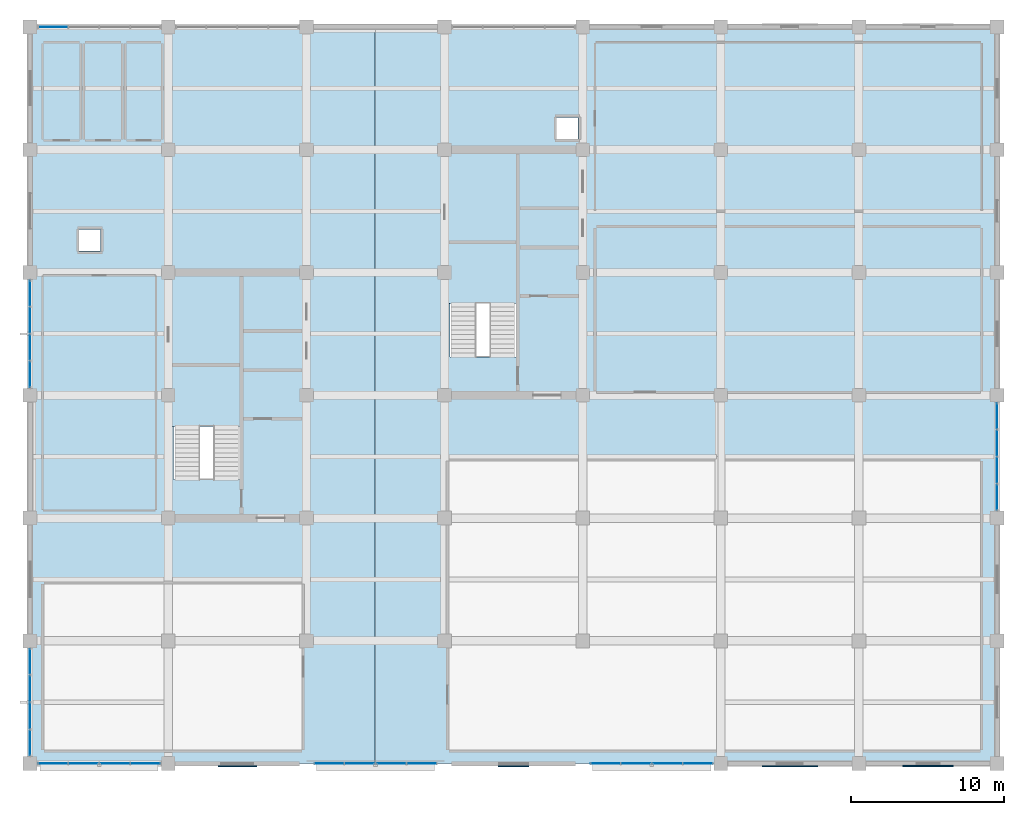
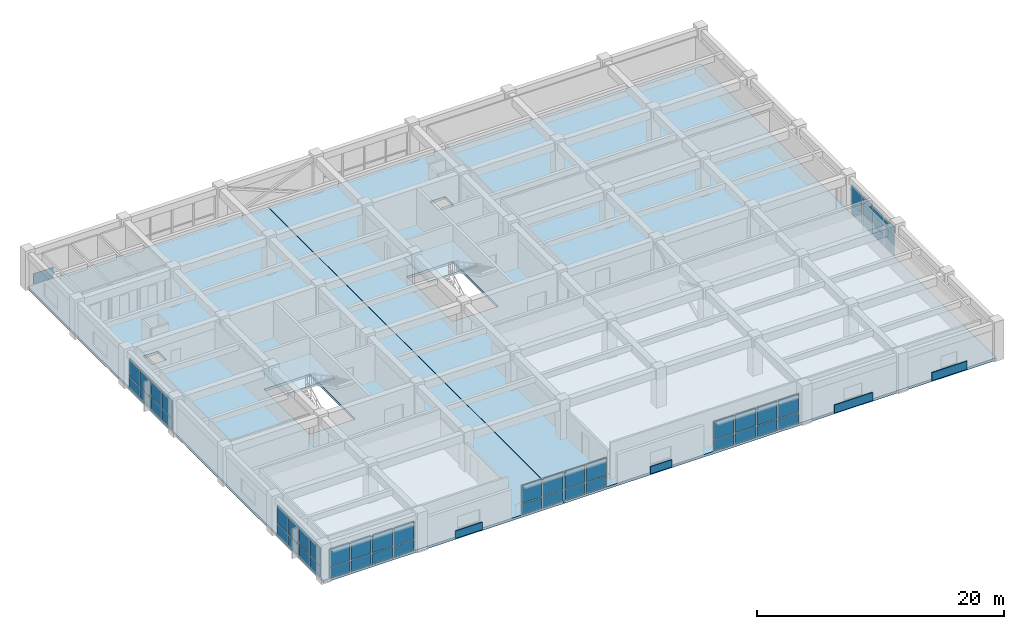
# One storey, part 11 of 16: 53 plates, 4 slabs, 9 elements without a shape of their own.
"""IFC4 building model written with IfcOpenShell, lengths in metres."""

from ifc_helpers import new_model, si_unit, direction, frame, frame_2d, origin, place, context, subcontext, project, spatial, polyline, rectangle, outline, extrude, material, layer, layer_set, type_object, element, aggregate, save


model = new_model("IFC4")

# Units and contexts
model_context = context("Model", 3, precision=1e-05, world=origin(), true_north=direction((0.0, 1.0)))
body_context = subcontext(model_context, "Body", "Model", "MODEL_VIEW")
ifc_project = project(units=[si_unit("LENGTHUNIT", "METRE"), si_unit("AREAUNIT", "SQUARE_METRE"), si_unit("VOLUMEUNIT", "CUBIC_METRE"), si_unit("PLANEANGLEUNIT", "RADIAN"), si_unit("MASSUNIT", "GRAM", prefix="KILO")], contexts=[model_context])

# Site, building, storey
site_placement = place(None, origin())
site = spatial("IfcSite", under=ifc_project, at=site_placement, CompositionType="ELEMENT")
building_placement = place(site_placement, origin())
building = spatial("IfcBuilding", under=site, at=building_placement, Name="Zaverband Oceanarium and Marine Research Institute", CompositionType="ELEMENT")
storey_placement = place(building_placement, frame((0.0, 0.0, 29.699951171875)))
storey = spatial("IfcBuildingStorey", under=building, at=storey_placement, Name="L07", CompositionType="ELEMENT", Elevation=29.699951171875)

# Curtain wall, plates
ifc_material_1 = material(Name="Thermally broken anodized aluminium and solar-control glass", Category="aluminium")
curtain_wall_type = type_object("IfcCurtainWallType", Name="CW-UNIT-1800", PredefinedType="NOTDEFINED", material=ifc_material_1)
curtain_wall_1_placement = place(storey_placement, origin())
curtain_wall_1 = element("IfcCurtainWall", 1, at=curtain_wall_1_placement, inside=storey, type_object=curtain_wall_type, Name="Unitised glazed curtain wall CW-091", PredefinedType="NOTDEFINED")
ifc_material_2 = material(Name="Low-E double-glazed solar-control glass", Category="glass")
ifc_layer_1 = layer(ifc_material_2, 0.033935546875, Name="Low-E double-glazed solar-control glass")
ifc_layer_set_1 = layer_set([ifc_layer_1], Name="Low-E double-glazed solar-control glass")
plate_type_1 = type_object("IfcPlateType", Name="CWP-1570x1043", PredefinedType="CURTAIN_PANEL", material=ifc_layer_set_1)
plate_1_placement = place(storey_placement, frame((9.0, 64.534912109375, 0.050048828125), z_axis=(0.0, 0.0, 1.0), x_axis=(0.0, 1.0, 0.0)))
plate_1 = element("IfcPlate", 2, at=plate_1_placement, type_object=plate_type_1, Name="Glazed curtain wall panel CWP-1570x1043", PredefinedType="CURTAIN_PANEL", context=body_context, shape_type="SweptSolid", body=[
    extrude(rectangle(XDim=1.612548828125, YDim=0.033935546875, at=frame_2d((0.80615234375, 0.0))), origin(), (0.0, 0.0, 1.0), 1.04296875),
])
plate_2_placement = place(storey_placement, frame((9.0, 66.3076171875, 0.050048828125), z_axis=(0.0, 0.0, 1.0), x_axis=(0.0, 1.0, 0.0)))
plate_2 = element("IfcPlate", 3, at=plate_2_placement, type_object=plate_type_1, Name="Glazed curtain wall panel CWP-1570x1043", PredefinedType="CURTAIN_PANEL", context=body_context, shape_type="SweptSolid", body=[
    extrude(rectangle(XDim=1.6123046875, YDim=0.033935546875, at=frame_2d((0.80615234375, 0.0))), origin(), (0.0, 0.0, 1.0), 1.04296875),
])
plate_3_placement = place(storey_placement, frame((9.0, 68.080078125, 0.050048828125), z_axis=(0.0, 0.0, 1.0), x_axis=(0.0, 1.0, 0.0)))
plate_3 = element("IfcPlate", 4, at=plate_3_placement, type_object=plate_type_1, Name="Glazed curtain wall panel CWP-1570x1043", PredefinedType="CURTAIN_PANEL", context=body_context, shape_type="SweptSolid", body=[
    extrude(rectangle(XDim=1.6123046875, YDim=0.033935546875, at=frame_2d((0.80615234375, 0.0))), origin(), (0.0, 0.0, 1.0), 1.04296875),
])
plate_4_placement = place(storey_placement, frame((9.0, 69.8525390625, 0.050048828125), z_axis=(0.0, 0.0, 1.0), x_axis=(0.0, 1.0, 0.0)))
plate_4 = element("IfcPlate", 5, at=plate_4_placement, type_object=plate_type_1, Name="Glazed curtain wall panel CWP-1570x1043", PredefinedType="CURTAIN_PANEL", context=body_context, shape_type="SweptSolid", body=[
    extrude(rectangle(XDim=1.612548828125, YDim=0.033935546875, at=frame_2d((0.80615234375, 0.0))), origin(), (0.0, 0.0, 1.0), 1.04296875),
])

curtain_wall_2_placement = place(storey_placement, origin())
curtain_wall_2 = element("IfcCurtainWall", 6, at=curtain_wall_2_placement, inside=storey, type_object=curtain_wall_type, Name="Unitised glazed curtain wall CW-092", PredefinedType="NOTDEFINED")
plate_5_placement = place(storey_placement, frame((9.0, 88.534912109375, 0.050048828125), z_axis=(0.0, 0.0, 1.0), x_axis=(0.0, 1.0, 0.0)))
plate_5 = element("IfcPlate", 7, at=plate_5_placement, type_object=plate_type_1, Name="Glazed curtain wall panel CWP-1570x1043", PredefinedType="CURTAIN_PANEL", context=body_context, shape_type="SweptSolid", body=[
    extrude(rectangle(XDim=1.612548828125, YDim=0.033935546875, at=frame_2d((0.80615234375, 0.0))), origin(), (0.0, 0.0, 1.0), 1.04296875),
])
plate_6_placement = place(storey_placement, frame((9.0, 90.3076171875, 0.050048828125), z_axis=(0.0, 0.0, 1.0), x_axis=(0.0, 1.0, 0.0)))
plate_6 = element("IfcPlate", 8, at=plate_6_placement, type_object=plate_type_1, Name="Glazed curtain wall panel CWP-1570x1043", PredefinedType="CURTAIN_PANEL", context=body_context, shape_type="SweptSolid", body=[
    extrude(rectangle(XDim=1.6123046875, YDim=0.033935546875, at=frame_2d((0.80615234375, 0.0))), origin(), (0.0, 0.0, 1.0), 1.04296875),
])
plate_7_placement = place(storey_placement, frame((9.0, 92.080078125, 0.050048828125), z_axis=(0.0, 0.0, 1.0), x_axis=(0.0, 1.0, 0.0)))
plate_7 = element("IfcPlate", 9, at=plate_7_placement, type_object=plate_type_1, Name="Glazed curtain wall panel CWP-1570x1043", PredefinedType="CURTAIN_PANEL", context=body_context, shape_type="SweptSolid", body=[
    extrude(rectangle(XDim=1.6123046875, YDim=0.033935546875, at=frame_2d((0.80615234375, 0.0))), origin(), (0.0, 0.0, 1.0), 1.04296875),
])
plate_8_placement = place(storey_placement, frame((9.0, 93.8525390625, 0.050048828125), z_axis=(0.0, 0.0, 1.0), x_axis=(0.0, 1.0, 0.0)))
plate_8 = element("IfcPlate", 10, at=plate_8_placement, type_object=plate_type_1, Name="Glazed curtain wall panel CWP-1570x1043", PredefinedType="CURTAIN_PANEL", context=body_context, shape_type="SweptSolid", body=[
    extrude(rectangle(XDim=1.612548828125, YDim=0.033935546875, at=frame_2d((0.80615234375, 0.0))), origin(), (0.0, 0.0, 1.0), 1.04296875),
])

curtain_wall_3_placement = place(storey_placement, origin())
curtain_wall_3 = element("IfcCurtainWall", 11, at=curtain_wall_3_placement, inside=storey, type_object=curtain_wall_type, Name="Unitised glazed curtain wall CW-093", PredefinedType="NOTDEFINED")
plate_9_placement = place(storey_placement, frame((72.0, 80.534912109375, 0.050048828125), z_axis=(0.0, 0.0, 1.0), x_axis=(0.0, 1.0, 0.0)))
plate_9 = element("IfcPlate", 12, at=plate_9_placement, type_object=plate_type_1, Name="Glazed curtain wall panel CWP-1570x1043", PredefinedType="CURTAIN_PANEL", context=body_context, shape_type="SweptSolid", body=[
    extrude(rectangle(XDim=1.612548828125, YDim=0.033935546875, at=frame_2d((0.80615234375, 0.0))), origin(), (0.0, 0.0, 1.0), 1.04296875),
])
plate_10_placement = place(storey_placement, frame((72.0, 82.3076171875, 0.050048828125), z_axis=(0.0, 0.0, 1.0), x_axis=(0.0, 1.0, 0.0)))
plate_10 = element("IfcPlate", 13, at=plate_10_placement, type_object=plate_type_1, Name="Glazed curtain wall panel CWP-1570x1043", PredefinedType="CURTAIN_PANEL", context=body_context, shape_type="SweptSolid", body=[
    extrude(rectangle(XDim=1.6123046875, YDim=0.033935546875, at=frame_2d((0.80615234375, 0.0))), origin(), (0.0, 0.0, 1.0), 1.04296875),
])
plate_11_placement = place(storey_placement, frame((72.0, 84.080078125, 0.050048828125), z_axis=(0.0, 0.0, 1.0), x_axis=(0.0, 1.0, 0.0)))
plate_11 = element("IfcPlate", 14, at=plate_11_placement, type_object=plate_type_1, Name="Glazed curtain wall panel CWP-1570x1043", PredefinedType="CURTAIN_PANEL", context=body_context, shape_type="SweptSolid", body=[
    extrude(rectangle(XDim=1.6123046875, YDim=0.033935546875, at=frame_2d((0.80615234375, 0.0))), origin(), (0.0, 0.0, 1.0), 1.04296875),
])
plate_12_placement = place(storey_placement, frame((72.0, 85.8525390625, 0.050048828125), z_axis=(0.0, 0.0, 1.0), x_axis=(0.0, 1.0, 0.0)))
plate_12 = element("IfcPlate", 15, at=plate_12_placement, type_object=plate_type_1, Name="Glazed curtain wall panel CWP-1570x1043", PredefinedType="CURTAIN_PANEL", context=body_context, shape_type="SweptSolid", body=[
    extrude(rectangle(XDim=1.612548828125, YDim=0.033935546875, at=frame_2d((0.80615234375, 0.0))), origin(), (0.0, 0.0, 1.0), 1.04296875),
])

# Plate
ifc_layer_2 = layer(ifc_material_2, 0.035888671875, Name="Low-E double-glazed solar-control glass")
ifc_layer_set_2 = layer_set([ifc_layer_2], Name="Low-E double-glazed solar-control glass")
plate_type_2 = type_object("IfcPlateType", Name="CWP-1570x1777", PredefinedType="CURTAIN_PANEL", material=ifc_layer_set_2)
plate_13_placement = place(storey_placement, frame((9.0, 64.534912109375, 1.1630859375), z_axis=(0.0, 0.0, 1.0), x_axis=(0.0, 1.0, 0.0)))
plate_13 = element("IfcPlate", 16, at=plate_13_placement, type_object=plate_type_2, Name="Glazed curtain wall panel CWP-1570x1777", PredefinedType="CURTAIN_PANEL", context=body_context, shape_type="SweptSolid", body=[
    extrude(rectangle(XDim=1.612548828125, YDim=0.035888671875, at=frame_2d((0.80615234375, 0.0))), origin(), (0.0, 0.0, 1.0), 1.77685546875),
])

plate_14_placement = place(storey_placement, frame((9.0, 66.3076171875, 1.1630859375), z_axis=(0.0, 0.0, 1.0), x_axis=(0.0, 1.0, 0.0)))
plate_14 = element("IfcPlate", 17, at=plate_14_placement, type_object=plate_type_2, Name="Glazed curtain wall panel CWP-1570x1777", PredefinedType="CURTAIN_PANEL", context=body_context, shape_type="SweptSolid", body=[
    extrude(rectangle(XDim=1.6123046875, YDim=0.035888671875, at=frame_2d((0.80615234375, 0.0))), origin(), (0.0, 0.0, 1.0), 1.77685546875),
])

plate_15_placement = place(storey_placement, frame((9.0, 68.080078125, 1.1630859375), z_axis=(0.0, 0.0, 1.0), x_axis=(0.0, 1.0, 0.0)))
plate_15 = element("IfcPlate", 18, at=plate_15_placement, type_object=plate_type_2, Name="Glazed curtain wall panel CWP-1570x1777", PredefinedType="CURTAIN_PANEL", context=body_context, shape_type="SweptSolid", body=[
    extrude(rectangle(XDim=1.6123046875, YDim=0.035888671875, at=frame_2d((0.80615234375, 0.0))), origin(), (0.0, 0.0, 1.0), 1.77685546875),
])

plate_16_placement = place(storey_placement, frame((9.0, 69.8525390625, 1.1630859375), z_axis=(0.0, 0.0, 1.0), x_axis=(0.0, 1.0, 0.0)))
plate_16 = element("IfcPlate", 19, at=plate_16_placement, type_object=plate_type_2, Name="Glazed curtain wall panel CWP-1570x1777", PredefinedType="CURTAIN_PANEL", context=body_context, shape_type="SweptSolid", body=[
    extrude(rectangle(XDim=1.612548828125, YDim=0.035888671875, at=frame_2d((0.80615234375, 0.0))), origin(), (0.0, 0.0, 1.0), 1.77685546875),
])

aggregate(curtain_wall_1, [plate_1, plate_13, plate_2, plate_14, plate_3, plate_15, plate_4, plate_16])

plate_17_placement = place(storey_placement, frame((9.0, 88.534912109375, 1.1630859375), z_axis=(0.0, 0.0, 1.0), x_axis=(0.0, 1.0, 0.0)))
plate_17 = element("IfcPlate", 20, at=plate_17_placement, type_object=plate_type_2, Name="Glazed curtain wall panel CWP-1570x1777", PredefinedType="CURTAIN_PANEL", context=body_context, shape_type="SweptSolid", body=[
    extrude(rectangle(XDim=1.612548828125, YDim=0.035888671875, at=frame_2d((0.80615234375, 0.0))), origin(), (0.0, 0.0, 1.0), 1.77685546875),
])

plate_18_placement = place(storey_placement, frame((9.0, 90.3076171875, 1.1630859375), z_axis=(0.0, 0.0, 1.0), x_axis=(0.0, 1.0, 0.0)))
plate_18 = element("IfcPlate", 21, at=plate_18_placement, type_object=plate_type_2, Name="Glazed curtain wall panel CWP-1570x1777", PredefinedType="CURTAIN_PANEL", context=body_context, shape_type="SweptSolid", body=[
    extrude(rectangle(XDim=1.6123046875, YDim=0.035888671875, at=frame_2d((0.80615234375, 0.0))), origin(), (0.0, 0.0, 1.0), 1.77685546875),
])

plate_19_placement = place(storey_placement, frame((9.0, 92.080078125, 1.1630859375), z_axis=(0.0, 0.0, 1.0), x_axis=(0.0, 1.0, 0.0)))
plate_19 = element("IfcPlate", 22, at=plate_19_placement, type_object=plate_type_2, Name="Glazed curtain wall panel CWP-1570x1777", PredefinedType="CURTAIN_PANEL", context=body_context, shape_type="SweptSolid", body=[
    extrude(rectangle(XDim=1.6123046875, YDim=0.035888671875, at=frame_2d((0.80615234375, 0.0))), origin(), (0.0, 0.0, 1.0), 1.77685546875),
])

plate_20_placement = place(storey_placement, frame((9.0, 93.8525390625, 1.1630859375), z_axis=(0.0, 0.0, 1.0), x_axis=(0.0, 1.0, 0.0)))
plate_20 = element("IfcPlate", 23, at=plate_20_placement, type_object=plate_type_2, Name="Glazed curtain wall panel CWP-1570x1777", PredefinedType="CURTAIN_PANEL", context=body_context, shape_type="SweptSolid", body=[
    extrude(rectangle(XDim=1.612548828125, YDim=0.035888671875, at=frame_2d((0.80615234375, 0.0))), origin(), (0.0, 0.0, 1.0), 1.77685546875),
])

aggregate(curtain_wall_2, [plate_5, plate_17, plate_6, plate_18, plate_7, plate_19, plate_8, plate_20])

plate_21_placement = place(storey_placement, frame((72.0, 80.534912109375, 1.1630859375), z_axis=(0.0, 0.0, 1.0), x_axis=(0.0, 1.0, 0.0)))
plate_21 = element("IfcPlate", 24, at=plate_21_placement, type_object=plate_type_2, Name="Glazed curtain wall panel CWP-1570x1777", PredefinedType="CURTAIN_PANEL", context=body_context, shape_type="SweptSolid", body=[
    extrude(rectangle(XDim=1.612548828125, YDim=0.035888671875, at=frame_2d((0.80615234375, 0.0))), origin(), (0.0, 0.0, 1.0), 1.77685546875),
])

plate_22_placement = place(storey_placement, frame((72.0, 82.3076171875, 1.1630859375), z_axis=(0.0, 0.0, 1.0), x_axis=(0.0, 1.0, 0.0)))
plate_22 = element("IfcPlate", 25, at=plate_22_placement, type_object=plate_type_2, Name="Glazed curtain wall panel CWP-1570x1777", PredefinedType="CURTAIN_PANEL", context=body_context, shape_type="SweptSolid", body=[
    extrude(rectangle(XDim=1.6123046875, YDim=0.035888671875, at=frame_2d((0.80615234375, 0.0))), origin(), (0.0, 0.0, 1.0), 1.77685546875),
])

plate_23_placement = place(storey_placement, frame((72.0, 84.080078125, 1.1630859375), z_axis=(0.0, 0.0, 1.0), x_axis=(0.0, 1.0, 0.0)))
plate_23 = element("IfcPlate", 26, at=plate_23_placement, type_object=plate_type_2, Name="Glazed curtain wall panel CWP-1570x1777", PredefinedType="CURTAIN_PANEL", context=body_context, shape_type="SweptSolid", body=[
    extrude(rectangle(XDim=1.6123046875, YDim=0.035888671875, at=frame_2d((0.80615234375, 0.0))), origin(), (0.0, 0.0, 1.0), 1.77685546875),
])

plate_24_placement = place(storey_placement, frame((72.0, 85.8525390625, 1.1630859375), z_axis=(0.0, 0.0, 1.0), x_axis=(0.0, 1.0, 0.0)))
plate_24 = element("IfcPlate", 27, at=plate_24_placement, type_object=plate_type_2, Name="Glazed curtain wall panel CWP-1570x1777", PredefinedType="CURTAIN_PANEL", context=body_context, shape_type="SweptSolid", body=[
    extrude(rectangle(XDim=1.612548828125, YDim=0.035888671875, at=frame_2d((0.80615234375, 0.0))), origin(), (0.0, 0.0, 1.0), 1.77685546875),
])

aggregate(curtain_wall_3, [plate_9, plate_21, plate_10, plate_22, plate_11, plate_23, plate_12, plate_24])

# Curtain wall, plates
curtain_wall_4_placement = place(storey_placement, origin())
curtain_wall_4 = element("IfcCurtainWall", 28, at=curtain_wall_4_placement, inside=storey, type_object=curtain_wall_type, Name="Unitised glazed curtain wall CW-085", PredefinedType="NOTDEFINED")
ifc_layer_3 = layer(ifc_material_2, 0.033935546875, Name="Low-E double-glazed solar-control glass")
ifc_layer_set_3 = layer_set([ifc_layer_3], Name="Low-E double-glazed solar-control glass")
plate_type_3 = type_object("IfcPlateType", Name="CWP-1820x1043", PredefinedType="CURTAIN_PANEL", material=ifc_layer_set_3)
plate_25_placement = place(storey_placement, frame((9.534912109375, 64.0, 0.050048828125), z_axis=(0.0, 0.0, 1.0), x_axis=(1.0, 0.0, 0.0)))
plate_25 = element("IfcPlate", 29, at=plate_25_placement, type_object=plate_type_3, Name="Glazed curtain wall panel CWP-1820x1043", PredefinedType="CURTAIN_PANEL", context=body_context, shape_type="SweptSolid", body=[
    extrude(rectangle(XDim=1.862548828125, YDim=0.033935546875, at=frame_2d((0.93115234375, 0.0))), origin(), (0.0, 0.0, 1.0), 1.04296875),
])
plate_26_placement = place(storey_placement, frame((11.5576171875, 64.0, 0.050048828125), z_axis=(0.0, 0.0, 1.0), x_axis=(1.0, 0.0, 0.0)))
plate_26 = element("IfcPlate", 30, at=plate_26_placement, type_object=plate_type_3, Name="Glazed curtain wall panel CWP-1820x1043", PredefinedType="CURTAIN_PANEL", context=body_context, shape_type="SweptSolid", body=[
    extrude(rectangle(XDim=1.8623046875, YDim=0.033935546875, at=frame_2d((0.93115234375, 0.0))), origin(), (0.0, 0.0, 1.0), 1.04296875),
])
plate_27_placement = place(storey_placement, frame((13.580078125, 64.0, 0.050048828125), z_axis=(0.0, 0.0, 1.0), x_axis=(1.0, 0.0, 0.0)))
plate_27 = element("IfcPlate", 31, at=plate_27_placement, type_object=plate_type_3, Name="Glazed curtain wall panel CWP-1820x1043", PredefinedType="CURTAIN_PANEL", context=body_context, shape_type="SweptSolid", body=[
    extrude(rectangle(XDim=1.8623046875, YDim=0.033935546875, at=frame_2d((0.93115234375, 0.0))), origin(), (0.0, 0.0, 1.0), 1.04296875),
])
plate_28_placement = place(storey_placement, frame((15.6025390625, 64.0, 0.050048828125), z_axis=(0.0, 0.0, 1.0), x_axis=(1.0, 0.0, 0.0)))
plate_28 = element("IfcPlate", 32, at=plate_28_placement, type_object=plate_type_3, Name="Glazed curtain wall panel CWP-1820x1043", PredefinedType="CURTAIN_PANEL", context=body_context, shape_type="SweptSolid", body=[
    extrude(rectangle(XDim=1.862548828125, YDim=0.033935546875, at=frame_2d((0.93115234375, 0.0))), origin(), (0.0, 0.0, 1.0), 1.04296875),
])

curtain_wall_5_placement = place(storey_placement, origin())
curtain_wall_5 = element("IfcCurtainWall", 33, at=curtain_wall_5_placement, inside=storey, type_object=curtain_wall_type, Name="Unitised glazed curtain wall CW-086", PredefinedType="NOTDEFINED")
plate_29_placement = place(storey_placement, frame((27.534912109375, 64.0, 0.050048828125), z_axis=(0.0, 0.0, 1.0), x_axis=(1.0, 0.0, 0.0)))
plate_29 = element("IfcPlate", 34, at=plate_29_placement, type_object=plate_type_3, Name="Glazed curtain wall panel CWP-1820x1043", PredefinedType="CURTAIN_PANEL", context=body_context, shape_type="SweptSolid", body=[
    extrude(rectangle(XDim=1.862548828125, YDim=0.033935546875, at=frame_2d((0.93115234375, 0.0))), origin(), (0.0, 0.0, 1.0), 1.04296875),
])
plate_30_placement = place(storey_placement, frame((29.5576171875, 64.0, 0.050048828125), z_axis=(0.0, 0.0, 1.0), x_axis=(1.0, 0.0, 0.0)))
plate_30 = element("IfcPlate", 35, at=plate_30_placement, type_object=plate_type_3, Name="Glazed curtain wall panel CWP-1820x1043", PredefinedType="CURTAIN_PANEL", context=body_context, shape_type="SweptSolid", body=[
    extrude(rectangle(XDim=1.8623046875, YDim=0.033935546875, at=frame_2d((0.93115234375, 0.0))), origin(), (0.0, 0.0, 1.0), 1.04296875),
])
plate_31_placement = place(storey_placement, frame((31.580078125, 64.0, 0.050048828125), z_axis=(0.0, 0.0, 1.0), x_axis=(1.0, 0.0, 0.0)))
plate_31 = element("IfcPlate", 36, at=plate_31_placement, type_object=plate_type_3, Name="Glazed curtain wall panel CWP-1820x1043", PredefinedType="CURTAIN_PANEL", context=body_context, shape_type="SweptSolid", body=[
    extrude(rectangle(XDim=1.8623046875, YDim=0.033935546875, at=frame_2d((0.93115234375, 0.0))), origin(), (0.0, 0.0, 1.0), 1.04296875),
])
plate_32_placement = place(storey_placement, frame((33.6025390625, 64.0, 0.050048828125), z_axis=(0.0, 0.0, 1.0), x_axis=(1.0, 0.0, 0.0)))
plate_32 = element("IfcPlate", 37, at=plate_32_placement, type_object=plate_type_3, Name="Glazed curtain wall panel CWP-1820x1043", PredefinedType="CURTAIN_PANEL", context=body_context, shape_type="SweptSolid", body=[
    extrude(rectangle(XDim=1.862548828125, YDim=0.033935546875, at=frame_2d((0.93115234375, 0.0))), origin(), (0.0, 0.0, 1.0), 1.04296875),
])

curtain_wall_6_placement = place(storey_placement, origin())
curtain_wall_6 = element("IfcCurtainWall", 38, at=curtain_wall_6_placement, inside=storey, type_object=curtain_wall_type, Name="Unitised glazed curtain wall CW-087", PredefinedType="NOTDEFINED")
plate_33_placement = place(storey_placement, frame((45.534912109375, 64.0, 0.050048828125), z_axis=(0.0, 0.0, 1.0), x_axis=(1.0, 0.0, 0.0)))
plate_33 = element("IfcPlate", 39, at=plate_33_placement, type_object=plate_type_3, Name="Glazed curtain wall panel CWP-1820x1043", PredefinedType="CURTAIN_PANEL", context=body_context, shape_type="SweptSolid", body=[
    extrude(rectangle(XDim=1.862548828125, YDim=0.033935546875, at=frame_2d((0.93115234375, 0.0))), origin(), (0.0, 0.0, 1.0), 1.04296875),
])
plate_34_placement = place(storey_placement, frame((47.5576171875, 64.0, 0.050048828125), z_axis=(0.0, 0.0, 1.0), x_axis=(1.0, 0.0, 0.0)))
plate_34 = element("IfcPlate", 40, at=plate_34_placement, type_object=plate_type_3, Name="Glazed curtain wall panel CWP-1820x1043", PredefinedType="CURTAIN_PANEL", context=body_context, shape_type="SweptSolid", body=[
    extrude(rectangle(XDim=1.8623046875, YDim=0.033935546875, at=frame_2d((0.93115234375, 0.0))), origin(), (0.0, 0.0, 1.0), 1.04296875),
])
plate_35_placement = place(storey_placement, frame((49.580078125, 64.0, 0.050048828125), z_axis=(0.0, 0.0, 1.0), x_axis=(1.0, 0.0, 0.0)))
plate_35 = element("IfcPlate", 41, at=plate_35_placement, type_object=plate_type_3, Name="Glazed curtain wall panel CWP-1820x1043", PredefinedType="CURTAIN_PANEL", context=body_context, shape_type="SweptSolid", body=[
    extrude(rectangle(XDim=1.8623046875, YDim=0.033935546875, at=frame_2d((0.93115234375, 0.0))), origin(), (0.0, 0.0, 1.0), 1.04296875),
])
plate_36_placement = place(storey_placement, frame((51.6025390625, 64.0, 0.050048828125), z_axis=(0.0, 0.0, 1.0), x_axis=(1.0, 0.0, 0.0)))
plate_36 = element("IfcPlate", 42, at=plate_36_placement, type_object=plate_type_3, Name="Glazed curtain wall panel CWP-1820x1043", PredefinedType="CURTAIN_PANEL", context=body_context, shape_type="SweptSolid", body=[
    extrude(rectangle(XDim=1.862548828125, YDim=0.033935546875, at=frame_2d((0.93115234375, 0.0))), origin(), (0.0, 0.0, 1.0), 1.04296875),
])

# Curtain wall, plate
curtain_wall_7_placement = place(storey_placement, origin())
curtain_wall_7 = element("IfcCurtainWall", 43, at=curtain_wall_7_placement, inside=storey, type_object=curtain_wall_type, Name="Unitised glazed curtain wall CW-088", PredefinedType="NOTDEFINED")
plate_37_placement = place(storey_placement, frame((9.534912109375, 112.0, 0.050048828125), z_axis=(0.0, 0.0, 1.0), x_axis=(1.0, 0.0, 0.0)))
plate_37 = element("IfcPlate", 44, at=plate_37_placement, type_object=plate_type_3, Name="Glazed curtain wall panel CWP-1820x1043", PredefinedType="CURTAIN_PANEL", context=body_context, shape_type="SweptSolid", body=[
    extrude(rectangle(XDim=1.862548828125, YDim=0.033935546875, at=frame_2d((0.93115234375, 0.0))), origin(), (0.0, 0.0, 1.0), 1.04296875),
])
aggregate(curtain_wall_7, [plate_37])

# Plate
ifc_layer_4 = layer(ifc_material_2, 0.035888671875, Name="Low-E double-glazed solar-control glass")
ifc_layer_set_4 = layer_set([ifc_layer_4], Name="Low-E double-glazed solar-control glass")
plate_type_4 = type_object("IfcPlateType", Name="CWP-1820x1777", PredefinedType="CURTAIN_PANEL", material=ifc_layer_set_4)
plate_38_placement = place(storey_placement, frame((9.534912109375, 64.0, 1.1630859375), z_axis=(0.0, 0.0, 1.0), x_axis=(1.0, 0.0, 0.0)))
plate_38 = element("IfcPlate", 45, at=plate_38_placement, type_object=plate_type_4, Name="Glazed curtain wall panel CWP-1820x1777", PredefinedType="CURTAIN_PANEL", context=body_context, shape_type="SweptSolid", body=[
    extrude(rectangle(XDim=1.862548828125, YDim=0.035888671875, at=frame_2d((0.93115234375, 0.0))), origin(), (0.0, 0.0, 1.0), 1.77685546875),
])

plate_39_placement = place(storey_placement, frame((11.5576171875, 64.0, 1.1630859375), z_axis=(0.0, 0.0, 1.0), x_axis=(1.0, 0.0, 0.0)))
plate_39 = element("IfcPlate", 46, at=plate_39_placement, type_object=plate_type_4, Name="Glazed curtain wall panel CWP-1820x1777", PredefinedType="CURTAIN_PANEL", context=body_context, shape_type="SweptSolid", body=[
    extrude(rectangle(XDim=1.8623046875, YDim=0.035888671875, at=frame_2d((0.93115234375, 0.0))), origin(), (0.0, 0.0, 1.0), 1.77685546875),
])

plate_40_placement = place(storey_placement, frame((13.580078125, 64.0, 1.1630859375), z_axis=(0.0, 0.0, 1.0), x_axis=(1.0, 0.0, 0.0)))
plate_40 = element("IfcPlate", 47, at=plate_40_placement, type_object=plate_type_4, Name="Glazed curtain wall panel CWP-1820x1777", PredefinedType="CURTAIN_PANEL", context=body_context, shape_type="SweptSolid", body=[
    extrude(rectangle(XDim=1.8623046875, YDim=0.035888671875, at=frame_2d((0.93115234375, 0.0))), origin(), (0.0, 0.0, 1.0), 1.77685546875),
])

plate_41_placement = place(storey_placement, frame((15.6025390625, 64.0, 1.1630859375), z_axis=(0.0, 0.0, 1.0), x_axis=(1.0, 0.0, 0.0)))
plate_41 = element("IfcPlate", 48, at=plate_41_placement, type_object=plate_type_4, Name="Glazed curtain wall panel CWP-1820x1777", PredefinedType="CURTAIN_PANEL", context=body_context, shape_type="SweptSolid", body=[
    extrude(rectangle(XDim=1.862548828125, YDim=0.035888671875, at=frame_2d((0.93115234375, 0.0))), origin(), (0.0, 0.0, 1.0), 1.77685546875),
])

aggregate(curtain_wall_4, [plate_25, plate_38, plate_26, plate_39, plate_27, plate_40, plate_28, plate_41])

plate_42_placement = place(storey_placement, frame((27.534912109375, 64.0, 1.1630859375), z_axis=(0.0, 0.0, 1.0), x_axis=(1.0, 0.0, 0.0)))
plate_42 = element("IfcPlate", 49, at=plate_42_placement, type_object=plate_type_4, Name="Glazed curtain wall panel CWP-1820x1777", PredefinedType="CURTAIN_PANEL", context=body_context, shape_type="SweptSolid", body=[
    extrude(rectangle(XDim=1.862548828125, YDim=0.035888671875, at=frame_2d((0.93115234375, 0.0))), origin(), (0.0, 0.0, 1.0), 1.77685546875),
])

plate_43_placement = place(storey_placement, frame((29.5576171875, 64.0, 1.1630859375), z_axis=(0.0, 0.0, 1.0), x_axis=(1.0, 0.0, 0.0)))
plate_43 = element("IfcPlate", 50, at=plate_43_placement, type_object=plate_type_4, Name="Glazed curtain wall panel CWP-1820x1777", PredefinedType="CURTAIN_PANEL", context=body_context, shape_type="SweptSolid", body=[
    extrude(rectangle(XDim=1.8623046875, YDim=0.035888671875, at=frame_2d((0.93115234375, 0.0))), origin(), (0.0, 0.0, 1.0), 1.77685546875),
])

plate_44_placement = place(storey_placement, frame((31.580078125, 64.0, 1.1630859375), z_axis=(0.0, 0.0, 1.0), x_axis=(1.0, 0.0, 0.0)))
plate_44 = element("IfcPlate", 51, at=plate_44_placement, type_object=plate_type_4, Name="Glazed curtain wall panel CWP-1820x1777", PredefinedType="CURTAIN_PANEL", context=body_context, shape_type="SweptSolid", body=[
    extrude(rectangle(XDim=1.8623046875, YDim=0.035888671875, at=frame_2d((0.93115234375, 0.0))), origin(), (0.0, 0.0, 1.0), 1.77685546875),
])

plate_45_placement = place(storey_placement, frame((33.6025390625, 64.0, 1.1630859375), z_axis=(0.0, 0.0, 1.0), x_axis=(1.0, 0.0, 0.0)))
plate_45 = element("IfcPlate", 52, at=plate_45_placement, type_object=plate_type_4, Name="Glazed curtain wall panel CWP-1820x1777", PredefinedType="CURTAIN_PANEL", context=body_context, shape_type="SweptSolid", body=[
    extrude(rectangle(XDim=1.862548828125, YDim=0.035888671875, at=frame_2d((0.93115234375, 0.0))), origin(), (0.0, 0.0, 1.0), 1.77685546875),
])

aggregate(curtain_wall_5, [plate_29, plate_42, plate_30, plate_43, plate_31, plate_44, plate_32, plate_45])

plate_46_placement = place(storey_placement, frame((45.534912109375, 64.0, 1.1630859375), z_axis=(0.0, 0.0, 1.0), x_axis=(1.0, 0.0, 0.0)))
plate_46 = element("IfcPlate", 53, at=plate_46_placement, type_object=plate_type_4, Name="Glazed curtain wall panel CWP-1820x1777", PredefinedType="CURTAIN_PANEL", context=body_context, shape_type="SweptSolid", body=[
    extrude(rectangle(XDim=1.862548828125, YDim=0.035888671875, at=frame_2d((0.93115234375, 0.0))), origin(), (0.0, 0.0, 1.0), 1.77685546875),
])

plate_47_placement = place(storey_placement, frame((47.5576171875, 64.0, 1.1630859375), z_axis=(0.0, 0.0, 1.0), x_axis=(1.0, 0.0, 0.0)))
plate_47 = element("IfcPlate", 54, at=plate_47_placement, type_object=plate_type_4, Name="Glazed curtain wall panel CWP-1820x1777", PredefinedType="CURTAIN_PANEL", context=body_context, shape_type="SweptSolid", body=[
    extrude(rectangle(XDim=1.8623046875, YDim=0.035888671875, at=frame_2d((0.93115234375, 0.0))), origin(), (0.0, 0.0, 1.0), 1.77685546875),
])

plate_48_placement = place(storey_placement, frame((49.580078125, 64.0, 1.1630859375), z_axis=(0.0, 0.0, 1.0), x_axis=(1.0, 0.0, 0.0)))
plate_48 = element("IfcPlate", 55, at=plate_48_placement, type_object=plate_type_4, Name="Glazed curtain wall panel CWP-1820x1777", PredefinedType="CURTAIN_PANEL", context=body_context, shape_type="SweptSolid", body=[
    extrude(rectangle(XDim=1.8623046875, YDim=0.035888671875, at=frame_2d((0.93115234375, 0.0))), origin(), (0.0, 0.0, 1.0), 1.77685546875),
])

plate_49_placement = place(storey_placement, frame((51.6025390625, 64.0, 1.1630859375), z_axis=(0.0, 0.0, 1.0), x_axis=(1.0, 0.0, 0.0)))
plate_49 = element("IfcPlate", 56, at=plate_49_placement, type_object=plate_type_4, Name="Glazed curtain wall panel CWP-1820x1777", PredefinedType="CURTAIN_PANEL", context=body_context, shape_type="SweptSolid", body=[
    extrude(rectangle(XDim=1.862548828125, YDim=0.035888671875, at=frame_2d((0.93115234375, 0.0))), origin(), (0.0, 0.0, 1.0), 1.77685546875),
])

aggregate(curtain_wall_6, [plate_33, plate_46, plate_34, plate_47, plate_35, plate_48, plate_36, plate_49])

# Plates
ifc_material_3 = material(Name="Concrete C40/50 precast ochre", Category="concrete")
ifc_layer_5 = layer(ifc_material_3, 0.070068359375, Name="Concrete C40/50 precast ochre")
ifc_layer_set_5 = layer_set([ifc_layer_5], Name="Concrete C40/50 precast ochre")
plate_type_5 = type_object("IfcPlateType", Name="FRP-2000x720", PredefinedType="USERDEFINED", material=ifc_layer_set_5)
plate_50_placement = place(storey_placement, frame((39.5, 63.8349609375, 0.0), z_axis=(0.0, 0.0, 1.0), x_axis=(1.0, 0.0, 0.0)))
element("IfcPlate", 57, at=plate_50_placement, inside=storey, type_object=plate_type_5, Name="Geometric precast facade cladding panel FRP-2000x720", ObjectType="FLANGE_PLATE", PredefinedType="USERDEFINED", context=body_context, shape_type="SweptSolid", body=[
    extrude(rectangle(XDim=2.0, YDim=0.070068359375, at=frame_2d((1.0, 0.0))), origin(), (0.0, 0.0, 1.0), 0.719970703125),
])
ifc_layer_6 = layer(ifc_material_3, 0.074951171875, Name="Concrete C40/50 precast ochre")
ifc_layer_set_6 = layer_set([ifc_layer_6], Name="Concrete C40/50 precast ochre")
plate_type_6 = type_object("IfcPlateType", Name="FRP-2500x750", PredefinedType="USERDEFINED", material=ifc_layer_set_6)
plate_51_placement = place(storey_placement, frame((21.25, 63.83251953125, 0.0), z_axis=(0.0, 0.0, 1.0), x_axis=(1.0, 0.0, 0.0)))
element("IfcPlate", 58, at=plate_51_placement, inside=storey, type_object=plate_type_6, Name="Geometric precast facade cladding panel FRP-2500x750", ObjectType="FLANGE_PLATE", PredefinedType="USERDEFINED", context=body_context, shape_type="SweptSolid", body=[
    extrude(rectangle(XDim=2.5, YDim=0.074951171875, at=frame_2d((1.25, 0.0))), origin(), (0.0, 0.0, 1.0), 0.75),
])
ifc_layer_7 = layer(ifc_material_3, 0.0849609375, Name="Concrete C40/50 precast ochre")
ifc_layer_set_7 = layer_set([ifc_layer_7], Name="Concrete C40/50 precast ochre")
plate_type_7 = type_object("IfcPlateType", Name="FRP-3300x800", PredefinedType="USERDEFINED", material=ifc_layer_set_7)
plate_52_placement = place(storey_placement, frame((65.85009765625, 63.840087890625, 0.0), z_axis=(0.0, 0.0, 1.0), x_axis=(1.0, 0.0, 0.0)))
element("IfcPlate", 59, at=plate_52_placement, inside=storey, type_object=plate_type_7, Name="Geometric precast facade cladding panel FRP-3300x800", ObjectType="FLANGE_PLATE", PredefinedType="USERDEFINED", context=body_context, shape_type="SweptSolid", body=[
    extrude(rectangle(XDim=3.2998046875, YDim=0.0849609375, at=frame_2d((1.64990234375, 0.0))), origin(), (0.0, 0.0, 1.0), 0.800048828125),
])
ifc_layer_8 = layer(ifc_material_3, 0.0849609375, Name="Concrete C40/50 precast ochre")
ifc_layer_set_8 = layer_set([ifc_layer_8], Name="Concrete C40/50 precast ochre")
plate_type_8 = type_object("IfcPlateType", Name="FRP-3600x800", PredefinedType="USERDEFINED", material=ifc_layer_set_8)
plate_53_placement = place(storey_placement, frame((56.699951171875, 63.827392578125, 0.0), z_axis=(0.0, 0.0, 1.0), x_axis=(1.0, 0.0, 0.0)))
element("IfcPlate", 60, at=plate_53_placement, inside=storey, type_object=plate_type_8, Name="Geometric precast facade cladding panel FRP-3600x800", ObjectType="FLANGE_PLATE", PredefinedType="USERDEFINED", context=body_context, shape_type="SweptSolid", body=[
    extrude(rectangle(XDim=3.60009765625, YDim=0.0849609375, at=frame_2d((1.800048828125, 0.0))), origin(), (0.0, 0.0, 1.0), 0.800048828125),
])

# Slabs
ifc_material_4 = material(Name="Concrete C40/50", Category="concrete")
ifc_layer_9 = layer(ifc_material_4, 0.25, Name="Concrete C40/50")
ifc_layer_set_9 = layer_set([ifc_layer_9], Name="Concrete C40/50")
slab_type_1 = type_object("IfcSlabType", Name="SLB-LAB-250", PredefinedType="FLOOR", material=ifc_layer_set_9)
slab_1_placement = place(storey_placement, frame((0.0, 0.0, -0.25)))
element("IfcSlab", 61, at=slab_1_placement, inside=storey, type_object=slab_type_1, Name="Suspended floor slab SLB-LAB-250", PredefinedType="FLOOR", context=body_context, shape_type="SweptSolid", body=[
    extrude(outline(polyline([(9.0, 112.0), (31.485107421875, 112.0), (31.485107421875, 64.0), (9.0, 64.0), (9.0, 112.0)]), holes=[polyline([(18.35009765625, 89.85009765625), (18.35009765625, 82.5), (22.64990234375, 82.5), (22.64990234375, 89.85009765625), (18.35009765625, 89.85009765625)]), polyline([(12.199951171875, 98.800048828125), (12.199951171875, 97.39990234375), (13.60009765625, 97.39990234375), (13.60009765625, 98.800048828125), (12.199951171875, 98.800048828125)])]), origin(), (0.0, 0.0, 1.0), 0.25),
])
slab_2_placement = place(storey_placement, frame((0.0, 0.0, -0.25)))
element("IfcSlab", 62, at=slab_2_placement, inside=storey, type_object=slab_type_1, Name="Suspended floor slab SLB-LAB-250", PredefinedType="FLOOR", context=body_context, shape_type="SweptSolid", body=[
    extrude(outline(polyline([(31.514892578125, 112.0), (72.0, 112.0), (72.0, 64.0), (31.514892578125, 64.0), (31.514892578125, 112.0)]), holes=[polyline([(36.35009765625, 97.85009765625), (36.35009765625, 90.5), (40.64990234375, 90.5), (40.64990234375, 97.85009765625), (36.35009765625, 97.85009765625)]), polyline([(43.300048828125, 106.10009765625), (43.300048828125, 104.699951171875), (44.699951171875, 104.699951171875), (44.699951171875, 106.10009765625), (43.300048828125, 106.10009765625)])]), origin(), (0.0, 0.0, 1.0), 0.25),
])

# Stair, slab
stair_type = type_object("IfcStairType", Name="STR-TWR-1650-3900", PredefinedType="HALF_TURN_STAIR", material=ifc_material_4)
stair_1_placement = place(storey_placement, origin())
stair_1 = element("IfcStair", 63, at=stair_1_placement, inside=storey, type_object=stair_type, Name="Exit Stair ST-01 (L07)", PredefinedType="HALF_TURN_STAIR")
ifc_layer_10 = layer(ifc_material_4, 0.199951171875, Name="Concrete C40/50")
ifc_layer_set_10 = layer_set([ifc_layer_10], Name="Concrete C40/50")
slab_type_2 = type_object("IfcSlabType", Name="SLB-LND-200", PredefinedType="LANDING", material=ifc_layer_set_10)
slab_3_placement = place(storey_placement, frame((0.0, 0.0, 1.75)))
slab_3 = element("IfcSlab", 64, at=slab_3_placement, type_object=slab_type_2, Name="Stair / ramp landing slab SLB-LND-200", PredefinedType="LANDING", context=body_context, shape_type="SweptSolid", body=[
    extrude(outline(polyline([(18.139892578125, 85.969970703125), (22.735107421875, 85.969970703125), (22.735107421875, 89.93505859375), (18.139892578125, 89.93505859375), (18.139892578125, 85.969970703125)])), origin(), (0.0, 0.0, 1.0), 0.199951171875),
])
aggregate(stair_1, [slab_3])

stair_2_placement = place(storey_placement, origin())
stair_2 = element("IfcStair", 65, at=stair_2_placement, inside=storey, type_object=stair_type, Name="Exit Stair ST-02 (L07)", PredefinedType="HALF_TURN_STAIR")
slab_4_placement = place(storey_placement, frame((0.0, 0.0, 1.75)))
slab_4 = element("IfcSlab", 66, at=slab_4_placement, type_object=slab_type_2, Name="Stair / ramp landing slab SLB-LND-200", PredefinedType="LANDING", context=body_context, shape_type="SweptSolid", body=[
    extrude(outline(polyline([(36.139892578125, 93.969970703125), (40.735107421875, 93.969970703125), (40.735107421875, 97.93505859375), (36.139892578125, 97.93505859375), (36.139892578125, 93.969970703125)])), origin(), (0.0, 0.0, 1.0), 0.199951171875),
])
aggregate(stair_2, [slab_4])

save(model, "model.ifc")
